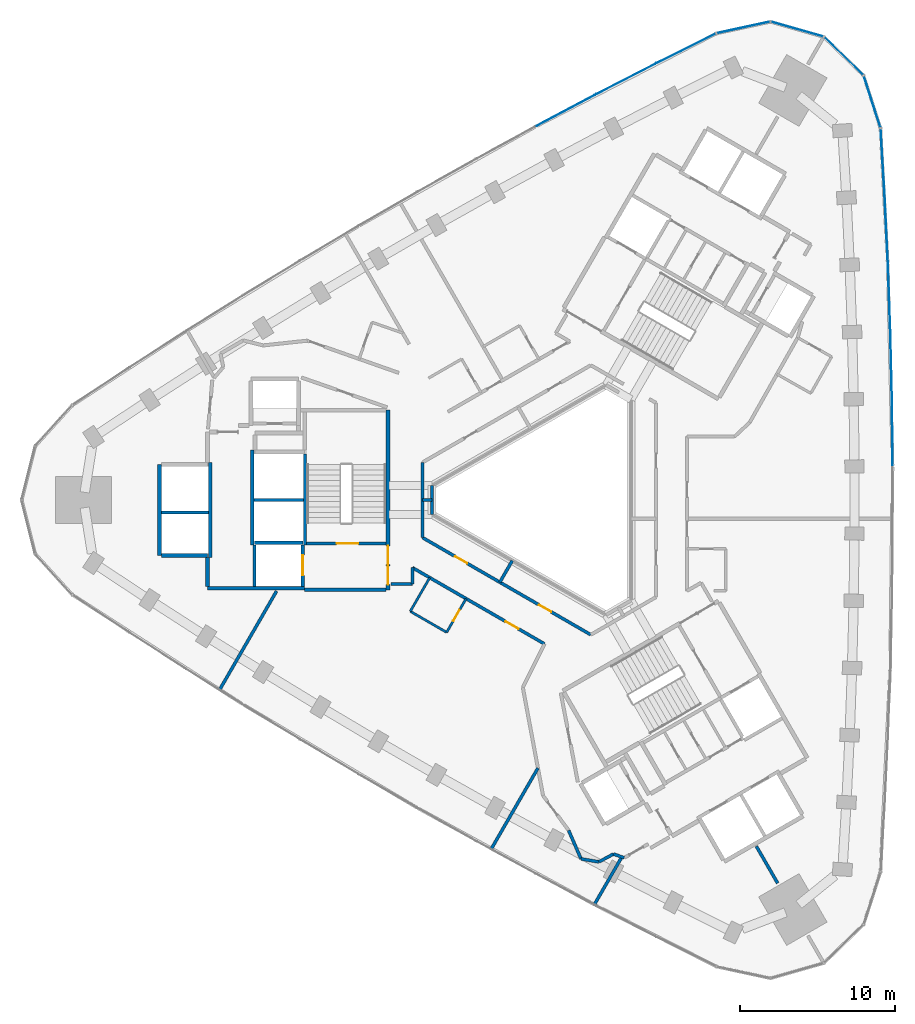
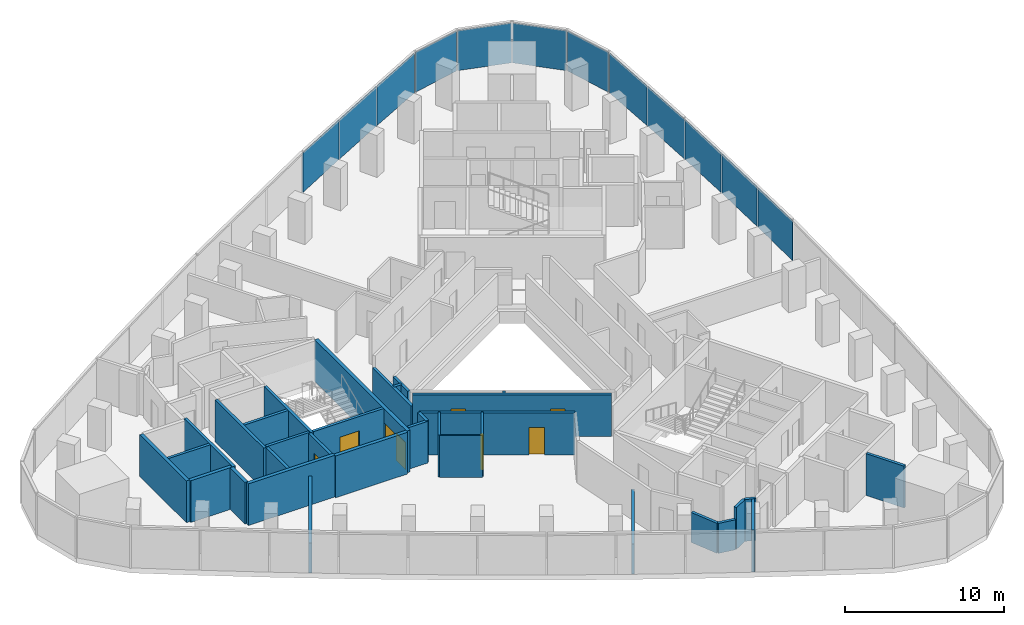
# One storey, part 7 of 12: 34 walls, 12 plates, 8 doors, 8 openings, 2 elements without a shape of their own.
"""IFC4 building model written with IfcOpenShell, lengths in metres."""

from ifc_helpers import new_model, si_unit, direction, frame, frame_2d, origin, origin_2d, place, context, subcontext, project, spatial, rectangle, extrude, material, layer, layer_set, type_object, element, fill, aggregate, save


model = new_model("IFC4")

# Units and contexts
model_context = context("Model", 3, precision=1e-05, world=origin(), true_north=direction((0.0, 1.0)))
body_context = subcontext(model_context, "Body", "Model", "MODEL_VIEW")
ifc_project = project(units=[si_unit("LENGTHUNIT", "METRE"), si_unit("AREAUNIT", "SQUARE_METRE"), si_unit("VOLUMEUNIT", "CUBIC_METRE"), si_unit("PLANEANGLEUNIT", "RADIAN"), si_unit("MASSUNIT", "GRAM", prefix="KILO")], contexts=[model_context])

# Site, building, storey
site_placement = place(None, origin())
site = spatial("IfcSite", under=ifc_project, at=site_placement, CompositionType="ELEMENT")
building_placement = place(site_placement, origin())
building = spatial("IfcBuilding", under=site, at=building_placement, Name="Tamra Quay Hotel Tower", CompositionType="ELEMENT")
storey_placement = place(building_placement, frame((0.0, 0.0, 154.0)))
storey = spatial("IfcBuildingStorey", under=building, at=storey_placement, Name="L38", CompositionType="ELEMENT", Elevation=154.0)

# Curtain wall, plates
ifc_material_1 = material(Name="Aluminium 6063 anodised dark grey", Category="aluminium")
curtain_wall_type_1 = type_object("IfcCurtainWallType", Name="CW1 CURTAIN WALL", PredefinedType="NOTDEFINED", material=ifc_material_1)
curtain_wall_1_placement = place(storey_placement, origin())
curtain_wall_1 = element("IfcCurtainWall", 1, at=curtain_wall_1_placement, inside=storey, type_object=curtain_wall_type_1, Name="CW1 east face L38", PredefinedType="NOTDEFINED")
ifc_material_2 = material(Name="Glass clear laminated low-iron", Category="glass")
ifc_layer_1 = layer(ifc_material_2, 0.031982421875)
ifc_layer_set_1 = layer_set([ifc_layer_1], Name="GLASS PANEL CW1 Z3")
plate_type_1 = type_object("IfcPlateType", Name="GLASS PANEL CW1 Z3", PredefinedType="CURTAIN_PANEL", material=ifc_layer_set_1)
plate_1_placement = place(storey_placement, frame((21.60546875, 4.3515625, 0.0), z_axis=(0.0, 0.0, 1.0), x_axis=(-0.011956859788, 0.999928514197, 0.0)))
plate_1 = element("IfcPlate", 2, at=plate_1_placement, type_object=plate_type_1, Name="CW1 glass L38.E.7", PredefinedType="CURTAIN_PANEL", context=body_context, shape_type="SweptSolid", body=[
    extrude(rectangle(XDim=4.2509765625, YDim=0.031982421875, at=origin_2d()), origin(), (0.0, 0.0, 1.0), 3.06005859375),
])
plate_2_placement = place(storey_placement, frame((21.527587890625, 8.70263671875, 0.0), z_axis=(0.0, 0.0, 1.0), x_axis=(-0.023895852937, 0.999714453338, 0.0)))
plate_2 = element("IfcPlate", 3, at=plate_2_placement, type_object=plate_type_1, Name="CW1 glass L38.E.8", PredefinedType="CURTAIN_PANEL", context=body_context, shape_type="SweptSolid", body=[
    extrude(rectangle(XDim=4.252685546875, YDim=0.031982421875, at=origin_2d()), origin(), (0.0, 0.0, 1.0), 3.06005859375),
])
plate_3_placement = place(storey_placement, frame((21.3974609375, 13.05322265625, 0.0), z_axis=(0.0, 0.0, 1.0), x_axis=(-0.035845418958, 0.999357346468, 0.0)))
plate_3 = element("IfcPlate", 4, at=plate_3_placement, type_object=plate_type_1, Name="CW1 glass L38.E.9", PredefinedType="CURTAIN_PANEL", context=body_context, shape_type="SweptSolid", body=[
    extrude(rectangle(XDim=4.252685546875, YDim=0.031982421875, at=origin_2d()), origin(), (0.0, 0.0, 1.0), 3.06005859375),
])
plate_4_placement = place(storey_placement, frame((21.215576171875, 17.401123046875, 0.0), z_axis=(0.0, 0.0, 1.0), x_axis=(-0.047747439326, 0.998859440581, 0.0)))
plate_4 = element("IfcPlate", 5, at=plate_4_placement, type_object=plate_type_1, Name="CW1 glass L38.E.10", PredefinedType="CURTAIN_PANEL", context=body_context, shape_type="SweptSolid", body=[
    extrude(rectangle(XDim=4.2509765625, YDim=0.031982421875, at=origin_2d()), origin(), (0.0, 0.0, 1.0), 3.06005859375),
])
plate_5_placement = place(storey_placement, frame((20.98193359375, 21.74609375, 0.0), z_axis=(0.0, 0.0, 1.0), x_axis=(-0.059641629271, 0.998219853568, 0.0)))
plate_5 = element("IfcPlate", 6, at=plate_5_placement, type_object=plate_type_1, Name="CW1 glass L38.E.11", PredefinedType="CURTAIN_PANEL", context=body_context, shape_type="SweptSolid", body=[
    extrude(rectangle(XDim=4.251708984375, YDim=0.031982421875, at=origin_2d()), origin(), (0.0, 0.0, 1.0), 3.06005859375),
])
plate_6_placement = place(storey_placement, frame((20.306884765625, 25.615234375, 0.0), z_axis=(0.0, 0.0, 1.0), x_axis=(-0.305914777883, 0.952058899792, 0.0)))
plate_6 = element("IfcPlate", 7, at=plate_6_placement, type_object=plate_type_1, Name="CW1 glass L38.E.12", PredefinedType="CURTAIN_PANEL", context=body_context, shape_type="SweptSolid", body=[
    extrude(rectangle(XDim=3.46484375, YDim=0.031982421875, at=origin_2d()), origin(), (0.0, 0.0, 1.0), 3.06005859375),
])
plate_7_placement = place(storey_placement, frame((18.480712890625, 28.5517578125, 0.0), z_axis=(0.0, 0.0, 1.0), x_axis=(-0.718584480635, 0.695439676888, 0.0)))
plate_7 = element("IfcPlate", 8, at=plate_7_placement, type_object=plate_type_1, Name="CW1 glass L38.E.13", PredefinedType="CURTAIN_PANEL", context=body_context, shape_type="SweptSolid", body=[
    extrude(rectangle(XDim=3.46484375, YDim=0.031982421875, at=origin_2d()), origin(), (0.0, 0.0, 1.0), 3.06005859375),
])
plate_8_placement = place(storey_placement, frame((15.486083984375, 30.28076171875, 0.0), z_axis=(0.0, 0.0, 1.0), x_axis=(-0.961560667302, 0.274592576551, 0.0)))
plate_8 = element("IfcPlate", 9, at=plate_8_placement, type_object=plate_type_1, Name="CW1 glass L38.E.14", PredefinedType="CURTAIN_PANEL", context=body_context, shape_type="SweptSolid", body=[
    extrude(rectangle(XDim=3.46484375, YDim=0.031982421875, at=origin_2d()), origin(), (0.0, 0.0, 1.0), 3.06005859375),
])
plate_9_placement = place(storey_placement, frame((12.030029296875, 30.393798828125, 0.0), z_axis=(0.0, 0.0, 1.0), x_axis=(-0.97746458206, -0.211099480856, 0.0)))
plate_9 = element("IfcPlate", 10, at=plate_9_placement, type_object=plate_type_1, Name="CW1 glass L38.E.15", PredefinedType="CURTAIN_PANEL", context=body_context, shape_type="SweptSolid", body=[
    extrude(rectangle(XDim=3.46484375, YDim=0.031982421875, at=origin_2d()), origin(), (0.0, 0.0, 1.0), 3.06005859375),
])
aggregate(curtain_wall_1, [plate_1, plate_2, plate_3, plate_4, plate_5, plate_6, plate_7, plate_8, plate_9])

curtain_wall_type_2 = type_object("IfcCurtainWallType", Name="CW2 CURTAIN WALL", PredefinedType="NOTDEFINED", material=ifc_material_1)
curtain_wall_2_placement = place(storey_placement, origin())
curtain_wall_2 = element("IfcCurtainWall", 11, at=curtain_wall_2_placement, inside=storey, type_object=curtain_wall_type_2, Name="CW2 north-west face L38", PredefinedType="NOTDEFINED")
ifc_layer_2 = layer(ifc_material_2, 0.031982421875)
ifc_layer_set_2 = layer_set([ifc_layer_2], Name="GLASS PANEL CW2 Z3")
plate_type_2 = type_object("IfcPlateType", Name="GLASS PANEL CW2 Z3", PredefinedType="CURTAIN_PANEL", material=ifc_layer_set_2)
plate_10_placement = place(storey_placement, frame((8.341796875, 29.0439453125, 0.0), z_axis=(0.0, 0.0, 1.0), x_axis=(-0.894304566387, -0.447458760713, 0.0)))
plate_10 = element("IfcPlate", 12, at=plate_10_placement, type_object=plate_type_2, Name="CW2 glass L38.NW.1", PredefinedType="CURTAIN_PANEL", context=body_context, shape_type="SweptSolid", body=[
    extrude(rectangle(XDim=4.251708984375, YDim=0.031982421875, at=origin_2d()), origin(), (0.0, 0.0, 1.0), 3.06005859375),
])
plate_11_placement = place(storey_placement, frame((4.462158203125, 27.073974609375, 0.0), z_axis=(0.0, 0.0, 1.0), x_axis=(-0.888911370016, -0.458079224868, 0.0)))
plate_11 = element("IfcPlate", 13, at=plate_11_placement, type_object=plate_type_2, Name="CW2 glass L38.NW.2", PredefinedType="CURTAIN_PANEL", context=body_context, shape_type="SweptSolid", body=[
    extrude(rectangle(XDim=4.2509765625, YDim=0.031982421875, at=origin_2d()), origin(), (0.0, 0.0, 1.0), 3.06005859375),
])
plate_12_placement = place(storey_placement, frame((0.605712890625, 25.057373046875, 0.0), z_axis=(0.0, 0.0, 1.0), x_axis=(-0.883391558979, -0.468635629808, 0.0)))
plate_12 = element("IfcPlate", 14, at=plate_12_placement, type_object=plate_type_2, Name="CW2 glass L38.NW.3", PredefinedType="CURTAIN_PANEL", context=body_context, shape_type="SweptSolid", body=[
    extrude(rectangle(XDim=4.252685546875, YDim=0.031982421875, at=origin_2d()), origin(), (0.0, 0.0, 1.0), 3.06005859375),
])
aggregate(curtain_wall_2, [plate_10, plate_11, plate_12])

# Walls
ifc_material_3 = material(Name="Concrete M70", Category="concrete")
ifc_layer_3 = layer(ifc_material_3, 0.199951171875)
ifc_layer_set_3 = layer_set([ifc_layer_3], Name="Concrete M70 core wall 200")
wall_type_1 = type_object("IfcWallType", Name="Concrete M70 core wall 200", PredefinedType="SHEAR", material=ifc_layer_set_3)
wall_1_placement = place(storey_placement, frame((-16.162109375, 2.95068359375, 0.0), z_axis=(0.0, 0.0, 1.0), x_axis=(0.0, -1.0, 0.0)))
element("IfcWall", 15, at=wall_1_placement, inside=storey, type_object=wall_type_1, Name="CW2", PredefinedType="SHEAR", context=body_context, shape_type="SweptSolid", body=[
    extrude(rectangle(XDim=5.850830078125, YDim=0.199951171875, at=frame_2d((2.92529296875, 0.0))), origin(), (0.0, 0.0, 1.0), 3.199951171875),
])
for number, where, z_axis, x_axis, name in (
    (16, (-19.5625, -2.900146484375, 0.0), (0.0, 0.0, 1.0), (0.0, 1.0, 0.0), "CW2"),
    (17, (-22.26220703125, 2.400146484375, 0.0), (0.0, 0.0, 1.0), (0.0, -1.0, 0.0), "CW2"),
):
    element("IfcWall", number, at=place(storey_placement, frame(where, z_axis=z_axis, x_axis=x_axis)), inside=storey, type_object=wall_type_1, Name=name, PredefinedType="SHEAR", context=body_context, shape_type="SweptSolid", body=[
        extrude(rectangle(XDim=6.100341796875, YDim=0.199951171875, at=frame_2d((3.05029296875, 0.0))), origin(), (0.0, 0.0, 1.0), 3.199951171875),
    ])

# Wall, opening, door
wall_2_placement = place(storey_placement, frame((-10.96337890625, -2.800048828125, 0.0), z_axis=(0.0, 0.0, 1.0), x_axis=(-1.0, 0.0, 0.0)))
wall_2 = element("IfcWall", 18, at=wall_2_placement, inside=storey, type_object=wall_type_1, Name="CW2", PredefinedType="SHEAR", context=body_context, shape_type="SweptSolid", body=[
    extrude(rectangle(XDim=5.097900390625, YDim=0.199951171875, at=frame_2d((2.548828125, 0.0))), origin(), (0.0, 0.0, 1.0), 3.199951171875),
])
opening_1_placement = place(wall_2_placement, frame((1.77392578125, 0.0, 0.0)))
opening_1 = element("IfcOpeningElement", 19, at=opening_1_placement, cuts=wall_2, Name="Opening FD2", PredefinedType="OPENING", context=body_context, shape_type="SweptSolid", body=[
    extrude(rectangle(XDim=1.39990234375, YDim=2.10009765625, at=frame_2d((0.699951171875, 1.050048828125))), frame((0.0, 0.10986328125, 0.0), z_axis=(0.0, -1.0, 0.0), x_axis=(1.0, 0.0, 0.0)), (0.0, 0.0, 1.0), 0.219970703125),
])
ifc_material_4 = material(Name="Core door FD2 1400x2100 RH")
door_type_1 = type_object("IfcDoorType", Name="Core door FD2 1400x2100 RH", OperationType="NOTDEFINED", PredefinedType="DOOR", material=ifc_material_4)
door_1_placement = place(opening_1_placement, origin())
door_1 = element("IfcDoor", 20, at=door_1_placement, inside=storey, type_object=door_type_1, Name="FD2", OperationType="SINGLE_SWING_RIGHT", OverallHeight=2.10009765625, OverallWidth=1.39990234375, PredefinedType="DOOR", context=body_context, shape_type="SweptSolid", body=[
    extrude(rectangle(XDim=1.39990234375, YDim=2.10009765625, at=frame_2d((0.699951171875, 1.050048828125))), frame((0.0, 0.02490234375, 0.0), z_axis=(0.0, -1.0, 0.0), x_axis=(1.0, 0.0, 0.0)), (0.0, 0.0, 1.0), 0.050048828125),
])
fill(opening_1, door_1)

# Walls
wall_3_placement = place(storey_placement, frame((-16.26318359375, 0.0, 0.0), z_axis=(0.0, 0.0, 1.0), x_axis=(-1.0, 0.0, 0.0)))
element("IfcWall", 21, at=wall_3_placement, inside=storey, type_object=wall_type_1, Name="CW2", PredefinedType="SHEAR", context=body_context, shape_type="SweptSolid", body=[
    extrude(rectangle(XDim=3.1982421875, YDim=0.199951171875, at=frame_2d((1.59912109375, 0.0))), origin(), (0.0, 0.0, 1.0), 3.199951171875),
])
wall_4_placement = place(storey_placement, frame((-22.36328125, -0.800048828125, 0.0), z_axis=(0.0, 0.0, 1.0), x_axis=(-1.0, 0.0, 0.0)))
element("IfcWall", 22, at=wall_4_placement, inside=storey, type_object=wall_type_1, Name="CW2", PredefinedType="SHEAR", context=body_context, shape_type="SweptSolid", body=[
    extrude(rectangle(XDim=3.048095703125, YDim=0.199951171875, at=frame_2d((1.52392578125, 0.0))), origin(), (0.0, 0.0, 1.0), 3.199951171875),
])
wall_5_placement = place(storey_placement, frame((-19.412353515625, -2.75, 0.0), z_axis=(0.0, 0.0, 1.0), x_axis=(1.0, 0.0, 0.0)))
element("IfcWall", 23, at=wall_5_placement, inside=storey, type_object=wall_type_1, Name="CW2", PredefinedType="SHEAR", context=body_context, shape_type="SweptSolid", body=[
    extrude(rectangle(XDim=3.10009765625, YDim=0.199951171875, at=frame_2d((1.550048828125, 0.0))), origin(), (0.0, 0.0, 1.0), 3.199951171875),
])

# Wall, opening, door
wall_6_placement = place(storey_placement, frame((-16.312255859375, -2.898193359375, 0.0), z_axis=(0.0, 0.0, 1.0), x_axis=(0.0, -1.0, 0.0)))
wall_6 = element("IfcWall", 24, at=wall_6_placement, inside=storey, type_object=wall_type_1, Name="CW2", PredefinedType="SHEAR", context=body_context, shape_type="SweptSolid", body=[
    extrude(rectangle(XDim=2.65087890625, YDim=0.199951171875, at=frame_2d((1.325439453125, 0.0))), origin(), (0.0, 0.0, 1.0), 3.199951171875),
])
opening_2_placement = place(wall_6_placement, frame((0.65185546875, 0.0, 0.0)))
opening_2 = element("IfcOpeningElement", 25, at=opening_2_placement, cuts=wall_6, Name="Opening LD", PredefinedType="OPENING", context=body_context, shape_type="SweptSolid", body=[
    extrude(rectangle(XDim=1.300048828125, YDim=2.10009765625, at=frame_2d((0.64990234375, 1.050048828125))), frame((0.0, 0.10986328125, 0.0), z_axis=(0.0, -1.0, 0.0), x_axis=(1.0, 0.0, 0.0)), (0.0, 0.0, 1.0), 0.219970703125),
])
ifc_material_5 = material(Name="Landing door LD 1300 sliding to right")
door_type_2 = type_object("IfcDoorType", Name="Landing door LD 1300 sliding to right", OperationType="NOTDEFINED", PredefinedType="DOOR", material=ifc_material_5)
door_2_placement = place(opening_2_placement, origin())
door_2 = element("IfcDoor", 26, at=door_2_placement, inside=storey, type_object=door_type_2, Name="LD", OperationType="SLIDING_TO_RIGHT", OverallHeight=2.10009765625, OverallWidth=1.300048828125, PredefinedType="DOOR", context=body_context, shape_type="SweptSolid", body=[
    extrude(rectangle(XDim=1.300048828125, YDim=2.10009765625, at=frame_2d((0.64990234375, 1.050048828125))), frame((0.0, 0.02490234375, 0.0), z_axis=(0.0, -1.0, 0.0), x_axis=(1.0, 0.0, 0.0)), (0.0, 0.0, 1.0), 0.050048828125),
])
fill(opening_2, door_2)

# Wall
wall_7_placement = place(storey_placement, frame((-19.412353515625, -5.549072265625, 0.0), z_axis=(0.0, 0.0, 1.0), x_axis=(0.0, 1.0, 0.0)))
element("IfcWall", 27, at=wall_7_placement, inside=storey, type_object=wall_type_1, Name="CW2", PredefinedType="SHEAR", context=body_context, shape_type="SweptSolid", body=[
    extrude(rectangle(XDim=2.65087890625, YDim=0.199951171875, at=frame_2d((1.325439453125, 0.0))), origin(), (0.0, 0.0, 1.0), 3.199951171875),
])

# Wall, openings, doors
ifc_layer_4 = layer(ifc_material_3, 0.25)
ifc_layer_set_4 = layer_set([ifc_layer_4], Name="Concrete M70 core wall 250")
wall_type_2 = type_object("IfcWallType", Name="Concrete M70 core wall 250", PredefinedType="SHEAR", material=ifc_layer_set_4)
wall_8_placement = place(storey_placement, frame((-10.83740234375, 5.77490234375, 0.0), z_axis=(0.0, 0.0, 1.0), x_axis=(0.0, -1.0, 0.0)))
wall_8 = element("IfcWall", 28, at=wall_8_placement, inside=storey, type_object=wall_type_2, Name="CW1", PredefinedType="SHEAR", context=body_context, shape_type="SweptSolid", body=[
    extrude(rectangle(XDim=11.5498046875, YDim=0.25, at=frame_2d((5.77490234375, 0.0))), origin(), (0.0, 0.0, 1.0), 3.199951171875),
])
opening_3_placement = place(wall_8_placement, frame((10.02490234375, 0.0, 0.0)))
opening_3 = element("IfcOpeningElement", 29, at=opening_3_placement, cuts=wall_8, Name="Opening FD1", PredefinedType="OPENING", context=body_context, shape_type="SweptSolid", body=[
    extrude(rectangle(XDim=1.199951171875, YDim=2.10009765625, at=frame_2d((0.60009765625, 1.050048828125))), frame((0.0, 0.135009765625, 0.0), z_axis=(0.0, -1.0, 0.0), x_axis=(1.0, 0.0, 0.0)), (0.0, 0.0, 1.0), 0.27001953125),
])
opening_4_placement = place(wall_8_placement, frame((8.72509765625, 0.0, 0.0)))
opening_4 = element("IfcOpeningElement", 30, at=opening_4_placement, cuts=wall_8, Name="Opening FD1", PredefinedType="OPENING", context=body_context, shape_type="SweptSolid", body=[
    extrude(rectangle(XDim=1.199951171875, YDim=2.10009765625, at=frame_2d((0.60009765625, 1.050048828125))), frame((0.0, 0.135009765625, 0.0), z_axis=(0.0, -1.0, 0.0), x_axis=(1.0, 0.0, 0.0)), (0.0, 0.0, 1.0), 0.27001953125),
])
ifc_material_6 = material(Name="Core door FD1 1200x2100 LH")
door_type_3 = type_object("IfcDoorType", Name="Core door FD1 1200x2100 LH", OperationType="NOTDEFINED", PredefinedType="DOOR", material=ifc_material_6)
door_3_placement = place(opening_3_placement, origin())
door_3 = element("IfcDoor", 31, at=door_3_placement, inside=storey, type_object=door_type_3, Name="FD1", OperationType="SINGLE_SWING_LEFT", OverallHeight=2.10009765625, OverallWidth=1.199951171875, PredefinedType="DOOR", context=body_context, shape_type="SweptSolid", body=[
    extrude(rectangle(XDim=1.199951171875, YDim=2.10009765625, at=frame_2d((0.60009765625, 1.050048828125))), frame((0.0, 0.02490234375, 0.0), z_axis=(0.0, -1.0, 0.0), x_axis=(1.0, 0.0, 0.0)), (0.0, 0.0, 1.0), 0.050048828125),
])
fill(opening_3, door_3)
ifc_material_7 = material(Name="Core door FD1 1200x2100 RH")
door_type_4 = type_object("IfcDoorType", Name="Core door FD1 1200x2100 RH", OperationType="NOTDEFINED", PredefinedType="DOOR", material=ifc_material_7)
door_4_placement = place(opening_4_placement, origin())
door_4 = element("IfcDoor", 32, at=door_4_placement, inside=storey, type_object=door_type_4, Name="FD1", OperationType="SINGLE_SWING_RIGHT", OverallHeight=2.10009765625, OverallWidth=1.199951171875, PredefinedType="DOOR", context=body_context, shape_type="SweptSolid", body=[
    extrude(rectangle(XDim=1.199951171875, YDim=2.10009765625, at=frame_2d((0.60009765625, 1.050048828125))), frame((0.0, 0.02490234375, 0.0), z_axis=(0.0, -1.0, 0.0), x_axis=(1.0, 0.0, 0.0)), (0.0, 0.0, 1.0), 0.050048828125),
])
fill(opening_4, door_4)

# Walls
wall_9_placement = place(storey_placement, frame((-16.187255859375, -5.675048828125, 0.0), z_axis=(0.0, 0.0, 1.0), x_axis=(-1.0, 0.0, 0.0)))
element("IfcWall", 33, at=wall_9_placement, inside=storey, type_object=wall_type_2, Name="CW1", PredefinedType="SHEAR", context=body_context, shape_type="SweptSolid", body=[
    extrude(rectangle(XDim=6.25, YDim=0.25, at=frame_2d((3.125, 0.0))), origin(), (0.0, 0.0, 1.0), 3.199951171875),
])
wall_10_placement = place(storey_placement, frame((-25.537353515625, -3.574951171875, 0.0), z_axis=(0.0, 0.0, 1.0), x_axis=(0.0, 1.0, 0.0)))
element("IfcWall", 34, at=wall_10_placement, inside=storey, type_object=wall_type_2, Name="CW1", PredefinedType="SHEAR", context=body_context, shape_type="SweptSolid", body=[
    extrude(rectangle(XDim=5.849853515625, YDim=0.25, at=frame_2d((2.9248046875, 0.0))), origin(), (0.0, 0.0, 1.0), 3.199951171875),
])
wall_11_placement = place(storey_placement, frame((-10.962646484375, -5.77490234375, 0.0), z_axis=(0.0, 0.0, 1.0), x_axis=(-1.0, 0.0, 0.0)))
element("IfcWall", 35, at=wall_11_placement, inside=storey, type_object=wall_type_2, Name="CW1", PredefinedType="SHEAR", context=body_context, shape_type="SweptSolid", body=[
    extrude(rectangle(XDim=5.224609375, YDim=0.25, at=frame_2d((2.6123046875, 0.0))), origin(), (0.0, 0.0, 1.0), 3.199951171875),
])
wall_12_placement = place(storey_placement, frame((-22.437255859375, -3.574951171875, 0.0), z_axis=(0.0, 0.0, 1.0), x_axis=(-1.0, 0.0, 0.0)))
element("IfcWall", 36, at=wall_12_placement, inside=storey, type_object=wall_type_2, Name="CW1", PredefinedType="SHEAR", context=body_context, shape_type="SweptSolid", body=[
    extrude(rectangle(XDim=2.974609375, YDim=0.25, at=frame_2d((1.4873046875, 0.0))), origin(), (0.0, 0.0, 1.0), 3.199951171875),
])
wall_13_placement = place(storey_placement, frame((-22.437255859375, -5.549560546875, 0.0), z_axis=(0.0, 0.0, 1.0), x_axis=(0.0, 1.0, 0.0)))
element("IfcWall", 37, at=wall_13_placement, inside=storey, type_object=wall_type_2, Name="CW1", PredefinedType="SHEAR", context=body_context, shape_type="SweptSolid", body=[
    extrude(rectangle(XDim=1.84912109375, YDim=0.25, at=frame_2d((0.924560546875, 0.0))), origin(), (0.0, 0.0, 1.0), 3.199951171875),
])
ifc_material_8 = material(Name="Partition corridor wall")
ifc_layer_5 = layer(ifc_material_8, 0.199951171875)
ifc_layer_set_5 = layer_set([ifc_layer_5], Name="Partition corridor wall")
wall_type_3 = type_object("IfcWallType", Name="Partition corridor wall", PredefinedType="PARTITIONING", material=ifc_layer_set_5)
wall_14_placement = place(storey_placement, frame((-10.65234375, -5.39990234375, 0.0), z_axis=(0.0, 0.0, 1.0), x_axis=(1.0, 0.0, 0.0)))
element("IfcWall", 38, at=wall_14_placement, inside=storey, type_object=wall_type_3, Name="W-C", PredefinedType="PARTITIONING", context=body_context, shape_type="SweptSolid", body=[
    extrude(rectangle(XDim=1.390380859375, YDim=0.199951171875, at=frame_2d((0.6953125, 0.0))), origin(), (0.0, 0.0, 1.0), 3.199951171875),
])
wall_15_placement = place(storey_placement, frame((-9.261962890625, -5.39990234375, 0.0), z_axis=(0.0, 0.0, 1.0), x_axis=(0.0, 1.0, 0.0)))
element("IfcWall", 39, at=wall_15_placement, inside=storey, type_object=wall_type_3, Name="W-C", PredefinedType="PARTITIONING", context=body_context, shape_type="SweptSolid", body=[
    extrude(rectangle(XDim=1.0478515625, YDim=0.199951171875, at=frame_2d((0.52392578125, 0.0))), origin(), (0.0, 0.0, 1.0), 3.199951171875),
])

# Wall, opening, door
wall_16_placement = place(storey_placement, frame((-9.261474609375, -4.35107421875, 0.0), z_axis=(0.0, 0.0, 1.0), x_axis=(0.865985037707, -0.500069909581, 0.0)))
wall_16 = element("IfcWall", 40, at=wall_16_placement, inside=storey, type_object=wall_type_3, Name="W-C", PredefinedType="PARTITIONING", context=body_context, shape_type="SweptSolid", body=[
    extrude(rectangle(XDim=9.8125, YDim=0.199951171875, at=frame_2d((4.90625, 0.0))), origin(), (0.0, 0.0, 1.0), 3.199951171875),
])
opening_5_placement = place(wall_16_placement, frame((6.92529296875, 0.0, 0.0)))
opening_5 = element("IfcOpeningElement", 41, at=opening_5_placement, cuts=wall_16, Name="Opening L38-D013", PredefinedType="OPENING", context=body_context, shape_type="SweptSolid", body=[
    extrude(rectangle(XDim=0.949951171875, YDim=2.10009765625, at=frame_2d((0.47509765625, 1.050048828125))), frame((0.0, 0.10986328125, 0.0), z_axis=(0.0, -1.0, 0.0), x_axis=(1.0, 0.0, 0.0)), (0.0, 0.0, 1.0), 0.219970703125),
])
ifc_material_9 = material(Name="Door guest room 950x2100")
door_type_5 = type_object("IfcDoorType", Name="Door guest room 950x2100", OperationType="NOTDEFINED", PredefinedType="DOOR", material=ifc_material_9)
door_5_placement = place(opening_5_placement, frame((0.949951171875, 0.0, 0.0), z_axis=(0.0, 0.0, 1.0), x_axis=(-1.0, 0.0, 0.0)))
door_5 = element("IfcDoor", 42, at=door_5_placement, inside=storey, type_object=door_type_5, Name="L38-D013", OperationType="SINGLE_SWING_LEFT", OverallHeight=2.10009765625, OverallWidth=0.949951171875, PredefinedType="DOOR", context=body_context, shape_type="SweptSolid", body=[
    extrude(rectangle(XDim=0.949951171875, YDim=2.10009765625, at=frame_2d((0.47509765625, 1.050048828125))), frame((0.0, 0.02490234375, 0.0), z_axis=(0.0, -1.0, 0.0), x_axis=(1.0, 0.0, 0.0)), (0.0, 0.0, 1.0), 0.050048828125),
])
fill(opening_5, door_5)

# Wall
wall_17_placement = place(storey_placement, frame((-8.612060546875, -2.41796875, 0.0), z_axis=(0.0, 0.0, 1.0), x_axis=(0.0, 1.0, 0.0)))
element("IfcWall", 43, at=wall_17_placement, inside=storey, type_object=wall_type_3, Name="W-C", PredefinedType="PARTITIONING", context=body_context, shape_type="SweptSolid", body=[
    extrude(rectangle(XDim=4.8359375, YDim=0.199951171875, at=frame_2d((2.41796875, 0.0))), origin(), (0.0, 0.0, 1.0), 2.300048828125),
])

# Wall, openings, doors
wall_18_placement = place(storey_placement, frame((-8.612060546875, -2.41796875, 0.0), z_axis=(0.0, 0.0, 1.0), x_axis=(0.866023916678, -0.500002575735, 0.0)))
wall_18 = element("IfcWall", 44, at=wall_18_placement, inside=storey, type_object=wall_type_3, Name="W-C", PredefinedType="PARTITIONING", context=body_context, shape_type="SweptSolid", body=[
    extrude(rectangle(XDim=12.49853515625, YDim=0.199951171875, at=frame_2d((6.249267578125, 0.0))), origin(), (0.0, 0.0, 1.0), 3.199951171875),
])
opening_6_placement = place(wall_18_placement, frame((2.427001953125, 0.0, 0.0)))
opening_6 = element("IfcOpeningElement", 45, at=opening_6_placement, cuts=wall_18, Name="Opening L38-D022", PredefinedType="OPENING", context=body_context, shape_type="SweptSolid", body=[
    extrude(rectangle(XDim=0.89990234375, YDim=2.10009765625, at=frame_2d((0.449951171875, 1.050048828125))), frame((0.0, 0.10986328125, 0.0), z_axis=(0.0, -1.0, 0.0), x_axis=(1.0, 0.0, 0.0)), (0.0, 0.0, 1.0), 0.219970703125),
])
opening_7_placement = place(wall_18_placement, frame((8.66455078125, 0.0, 0.0)))
opening_7 = element("IfcOpeningElement", 46, at=opening_7_placement, cuts=wall_18, Name="Opening L38-D023", PredefinedType="OPENING", context=body_context, shape_type="SweptSolid", body=[
    extrude(rectangle(XDim=0.89990234375, YDim=2.10009765625, at=frame_2d((0.449951171875, 1.050048828125))), frame((0.0, 0.10986328125, 0.0), z_axis=(0.0, -1.0, 0.0), x_axis=(1.0, 0.0, 0.0)), (0.0, 0.0, 1.0), 0.219970703125),
])
ifc_material_10 = material(Name="Door service room 900x2100")
door_type_6 = type_object("IfcDoorType", Name="Door service room 900x2100", OperationType="NOTDEFINED", PredefinedType="DOOR", material=ifc_material_10)
door_6_placement = place(opening_6_placement, origin())
door_6 = element("IfcDoor", 47, at=door_6_placement, inside=storey, type_object=door_type_6, Name="L38-D022", OperationType="SINGLE_SWING_LEFT", OverallHeight=2.10009765625, OverallWidth=0.89990234375, PredefinedType="DOOR", context=body_context, shape_type="SweptSolid", body=[
    extrude(rectangle(XDim=0.89990234375, YDim=2.10009765625, at=frame_2d((0.449951171875, 1.050048828125))), frame((0.0, 0.02490234375, 0.0), z_axis=(0.0, -1.0, 0.0), x_axis=(1.0, 0.0, 0.0)), (0.0, 0.0, 1.0), 0.050048828125),
])
fill(opening_6, door_6)
door_7_placement = place(opening_7_placement, origin())
door_7 = element("IfcDoor", 48, at=door_7_placement, inside=storey, type_object=door_type_6, Name="L38-D023", OperationType="SINGLE_SWING_LEFT", OverallHeight=2.10009765625, OverallWidth=0.89990234375, PredefinedType="DOOR", context=body_context, shape_type="SweptSolid", body=[
    extrude(rectangle(XDim=0.89990234375, YDim=2.10009765625, at=frame_2d((0.449951171875, 1.050048828125))), frame((0.0, 0.02490234375, 0.0), z_axis=(0.0, -1.0, 0.0), x_axis=(1.0, 0.0, 0.0)), (0.0, 0.0, 1.0), 0.050048828125),
])
fill(opening_7, door_7)

# Walls
wall_19_placement = place(storey_placement, frame((0.784912109375, -21.24609375, 0.0), z_axis=(0.0, 0.0, 1.0), x_axis=(0.398365586627, -0.917226721913, 0.0)))
element("IfcWall", 49, at=wall_19_placement, inside=storey, type_object=wall_type_3, Name="W-C", PredefinedType="PARTITIONING", context=body_context, shape_type="SweptSolid", body=[
    extrude(rectangle(XDim=2.005859375, YDim=0.199951171875, at=frame_2d((1.0029296875, 0.0))), origin(), (0.0, 0.0, 1.0), 2.300048828125),
])
wall_20_placement = place(storey_placement, frame((1.583984375, -23.0859375, 0.0), z_axis=(0.0, 0.0, 1.0), x_axis=(0.986654221629, -0.162829502674, 0.0)))
element("IfcWall", 50, at=wall_20_placement, inside=storey, type_object=wall_type_3, Name="W-C", PredefinedType="PARTITIONING", context=body_context, shape_type="SweptSolid", body=[
    extrude(rectangle(XDim=1.160400390625, YDim=0.199951171875, at=frame_2d((0.580078125, 0.0))), origin(), (0.0, 0.0, 1.0), 2.300048828125),
])
wall_21_placement = place(storey_placement, frame((2.72998046875, -23.27490234375, 0.0), z_axis=(0.0, 0.0, 1.0), x_axis=(0.880927165636, 0.473251866182, 0.0)))
element("IfcWall", 51, at=wall_21_placement, inside=storey, type_object=wall_type_3, Name="W-C", PredefinedType="PARTITIONING", context=body_context, shape_type="SweptSolid", body=[
    extrude(rectangle(XDim=1.064697265625, YDim=0.199951171875, at=frame_2d((0.5322265625, 0.0))), origin(), (0.0, 0.0, 1.0), 3.199951171875),
])
wall_22_placement = place(storey_placement, frame((3.66796875, -22.77099609375, 0.0), z_axis=(0.0, 0.0, 1.0), x_axis=(0.944447470761, -0.328662402738, 0.0)))
element("IfcWall", 52, at=wall_22_placement, inside=storey, type_object=wall_type_3, Name="W-C", PredefinedType="PARTITIONING", context=body_context, shape_type="SweptSolid", body=[
    extrude(rectangle(XDim=0.734619140625, YDim=0.199951171875, at=frame_2d((0.3671875, 0.0))), origin(), (0.0, 0.0, 1.0), 3.199951171875),
])
ifc_material_11 = material(Name="Partition en-suite wall")
ifc_layer_6 = layer(ifc_material_11, 0.14990234375)
ifc_layer_set_6 = layer_set([ifc_layer_6], Name="Partition en-suite wall")
wall_type_4 = type_object("IfcWallType", Name="Partition en-suite wall", PredefinedType="PARTITIONING", material=ifc_layer_set_6)
wall_23_placement = place(storey_placement, frame((-9.39599609375, -7.158935546875, 0.0), z_axis=(0.0, 0.0, 1.0), x_axis=(0.500091929049, 0.865972322018, 0.0)))
element("IfcWall", 53, at=wall_23_placement, inside=storey, type_object=wall_type_4, Name="W-E", PredefinedType="PARTITIONING", context=body_context, shape_type="SweptSolid", body=[
    extrude(rectangle(XDim=2.49755859375, YDim=0.14990234375, at=frame_2d((1.248779296875, 0.0))), origin(), (0.0, 0.0, 1.0), 3.199951171875),
])
wall_24_placement = place(storey_placement, frame((-9.39306640625, -7.1640625, 0.0), z_axis=(0.0, 0.0, 1.0), x_axis=(0.866098020528, -0.499874203012, 0.0)))
element("IfcWall", 54, at=wall_24_placement, inside=storey, type_object=wall_type_4, Name="W-E", PredefinedType="PARTITIONING", context=body_context, shape_type="SweptSolid", body=[
    extrude(rectangle(XDim=2.692626953125, YDim=0.14990234375, at=frame_2d((1.34619140625, 0.0))), origin(), (0.0, 0.0, 1.0), 3.199951171875),
])

# Wall, opening, door
wall_25_placement = place(storey_placement, frame((-7.055908203125, -8.507080078125, 0.0), z_axis=(0.0, 0.0, 1.0), x_axis=(0.499397145068, 0.866373182582, 0.0)))
wall_25 = element("IfcWall", 55, at=wall_25_placement, inside=storey, type_object=wall_type_4, Name="W-E", PredefinedType="PARTITIONING", context=body_context, shape_type="SweptSolid", body=[
    extrude(rectangle(XDim=2.49072265625, YDim=0.14990234375, at=frame_2d((1.245361328125, 0.0))), origin(), (0.0, 0.0, 1.0), 3.199951171875),
])
opening_8_placement = place(wall_25_placement, frame((0.84521484375, 0.0, 0.0)))
opening_8 = element("IfcOpeningElement", 56, at=opening_8_placement, cuts=wall_25, Name="Opening L38-D014", PredefinedType="OPENING", context=body_context, shape_type="SweptSolid", body=[
    extrude(rectangle(XDim=0.800048828125, YDim=2.10009765625, at=frame_2d((0.39990234375, 1.050048828125))), frame((0.0, 0.0849609375, 0.0), z_axis=(0.0, -1.0, 0.0), x_axis=(1.0, 0.0, 0.0)), (0.0, 0.0, 1.0), 0.169921875),
])
ifc_material_12 = material(Name="Door en-suite 800x2100")
door_type_7 = type_object("IfcDoorType", Name="Door en-suite 800x2100", OperationType="NOTDEFINED", PredefinedType="DOOR", material=ifc_material_12)
door_8_placement = place(opening_8_placement, origin())
door_8 = element("IfcDoor", 57, at=door_8_placement, inside=storey, type_object=door_type_7, Name="L38-D014", OperationType="SINGLE_SWING_LEFT", OverallHeight=2.10009765625, OverallWidth=0.800048828125, PredefinedType="DOOR", context=body_context, shape_type="SweptSolid", body=[
    extrude(rectangle(XDim=0.800048828125, YDim=2.10009765625, at=frame_2d((0.39990234375, 1.050048828125))), frame((0.0, 0.02490234375, 0.0), z_axis=(0.0, -1.0, 0.0), x_axis=(1.0, 0.0, 0.0)), (0.0, 0.0, 1.0), 0.050048828125),
])
fill(opening_8, door_8)

# Walls
ifc_material_13 = material(Name="Partition party wall")
ifc_layer_7 = layer(ifc_material_13, 0.199951171875)
ifc_layer_set_7 = layer_set([ifc_layer_7], Name="Partition party wall")
wall_type_5 = type_object("IfcWallType", Name="Partition party wall", PredefinedType="PARTITIONING", material=ifc_layer_set_7)
wall_26_placement = place(storey_placement, frame((-21.664306640625, -12.21044921875, 0.0), z_axis=(0.0, 0.0, 1.0), x_axis=(0.499938621367, 0.866060837855, 0.0)))
element("IfcWall", 58, at=wall_26_placement, inside=storey, type_object=wall_type_5, Name="W-P", PredefinedType="PARTITIONING", context=body_context, shape_type="SweptSolid", body=[
    extrude(rectangle(XDim=7.33251953125, YDim=0.199951171875, at=frame_2d((3.666259765625, 0.0))), origin(), (0.0, 0.0, 1.0), 2.300048828125),
])
wall_27_placement = place(storey_placement, frame((-8.60693359375, 0.0, 0.0), z_axis=(0.0, 0.0, 1.0), x_axis=(1.0, 0.0, 0.0)))
element("IfcWall", 59, at=wall_27_placement, inside=storey, type_object=wall_type_5, Name="W-P", PredefinedType="PARTITIONING", context=body_context, shape_type="SweptSolid", body=[
    extrude(rectangle(XDim=0.60693359375, YDim=0.199951171875, at=frame_2d((0.303466796875, 0.0))), origin(), (0.0, 0.0, 1.0), 2.300048828125),
])
wall_28_placement = place(storey_placement, frame((-8.0, -0.924072265625, 0.0), z_axis=(0.0, 0.0, 1.0), x_axis=(0.0, 1.0, 0.0)))
element("IfcWall", 60, at=wall_28_placement, inside=storey, type_object=wall_type_5, Name="W-P", PredefinedType="PARTITIONING", context=body_context, shape_type="SweptSolid", body=[
    extrude(rectangle(XDim=1.84814453125, YDim=0.199951171875, at=frame_2d((0.924072265625, 0.0))), origin(), (0.0, 0.0, 1.0), 2.300048828125),
])
wall_29_placement = place(storey_placement, frame((-4.1982421875, -22.458740234375, 0.0), z_axis=(0.0, 0.0, 1.0), x_axis=(0.499899163109, 0.866083614164, 0.0)))
element("IfcWall", 61, at=wall_29_placement, inside=storey, type_object=wall_type_5, Name="W-P", PredefinedType="PARTITIONING", context=body_context, shape_type="SweptSolid", body=[
    extrude(rectangle(XDim=6.019775390625, YDim=0.199951171875, at=frame_2d((3.009765625, 0.0))), origin(), (0.0, 0.0, 1.0), 2.300048828125),
])
wall_30_placement = place(storey_placement, frame((-3.638916015625, -5.2890625, 0.0), z_axis=(0.0, 0.0, 1.0), x_axis=(0.49981490623, 0.866132241352, 0.0)))
element("IfcWall", 62, at=wall_30_placement, inside=storey, type_object=wall_type_5, Name="W-P", PredefinedType="PARTITIONING", context=body_context, shape_type="SweptSolid", body=[
    extrude(rectangle(XDim=1.60009765625, YDim=0.199951171875, at=frame_2d((0.800048828125, 0.0))), origin(), (0.0, 0.0, 1.0), 2.300048828125),
])
wall_31_placement = place(storey_placement, frame((2.439208984375, -26.0244140625, 0.0), z_axis=(0.0, 0.0, 1.0), x_axis=(0.499989137667, 0.866031675065, 0.0)))
element("IfcWall", 63, at=wall_31_placement, inside=storey, type_object=wall_type_5, Name="W-P", PredefinedType="PARTITIONING", context=body_context, shape_type="SweptSolid", body=[
    extrude(rectangle(XDim=3.53955078125, YDim=0.199951171875, at=frame_2d((1.769775390625, 0.0))), origin(), (0.0, 0.0, 1.0), 3.199951171875),
])
wall_32_placement = place(storey_placement, frame((12.862548828125, -22.275390625, 0.0), z_axis=(0.0, 0.0, 1.0), x_axis=(0.49982784299, -0.866124775868, 0.0)))
element("IfcWall", 64, at=wall_32_placement, inside=storey, type_object=wall_type_5, Name="W-P", PredefinedType="PARTITIONING", context=body_context, shape_type="SweptSolid", body=[
    extrude(rectangle(XDim=2.74072265625, YDim=0.199951171875, at=frame_2d((1.370361328125, 0.0))), origin(), (0.0, 0.0, 1.0), 3.199951171875),
])

save(model, "model.ifc")
